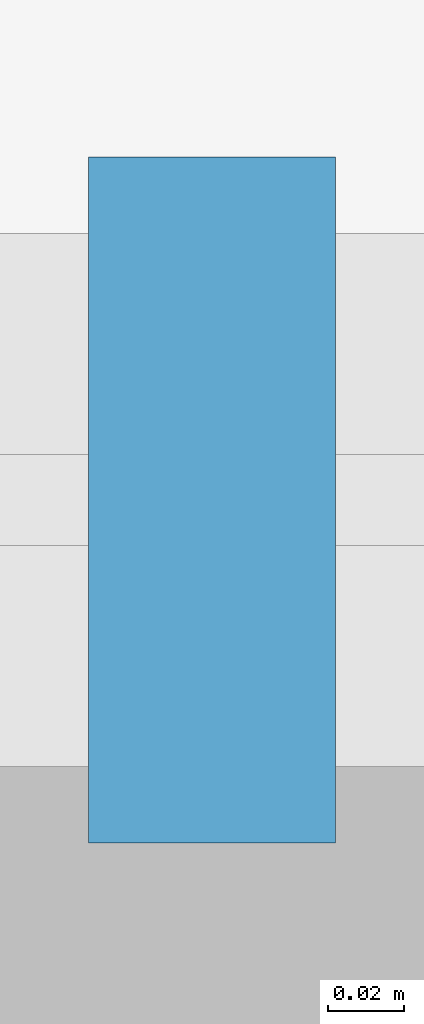
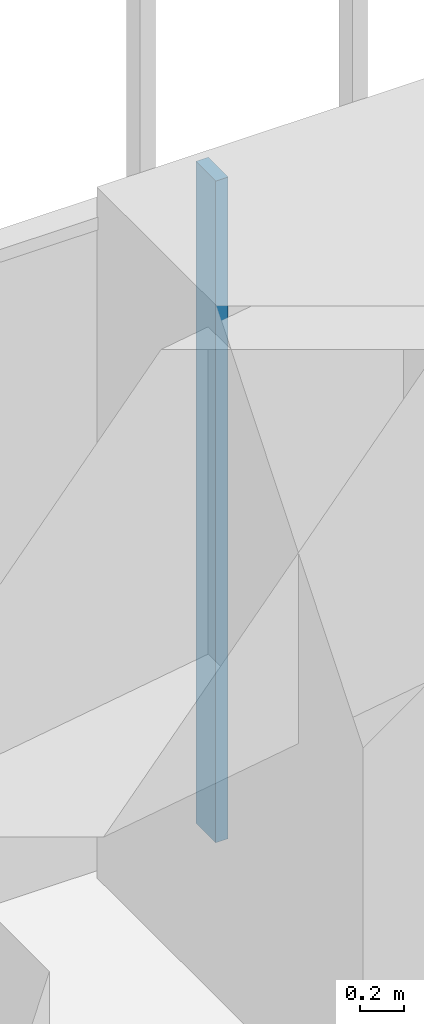
# One storey, part 166 of 256: 1 member, 1 element without a shape of its own.
"""IFC4 building model written with IfcOpenShell, lengths in metres."""

from ifc_helpers import new_model, si_unit, direction, frame, origin, origin_2d, place, context, subcontext, project, spatial, rectangle, extrude, material, material_profile, profile_set, type_object, element, aggregate, save


model = new_model("IFC4")

# Units and contexts
model_context = context("Model", 3, precision=1e-05, world=origin(), true_north=direction((0.0, 1.0)))
body_context = subcontext(model_context, "Body", "Model", "MODEL_VIEW")
ifc_project = project(units=[si_unit("LENGTHUNIT", "METRE"), si_unit("AREAUNIT", "SQUARE_METRE"), si_unit("VOLUMEUNIT", "CUBIC_METRE"), si_unit("PLANEANGLEUNIT", "RADIAN"), si_unit("MASSUNIT", "GRAM", prefix="KILO")], contexts=[model_context])

# Site, building, storey
site_placement = place(None, origin())
site = spatial("IfcSite", under=ifc_project, at=site_placement, CompositionType="ELEMENT")
building_placement = place(site_placement, origin())
building = spatial("IfcBuilding", under=site, at=building_placement, Name="Sandreach Pilgrim Tower", CompositionType="ELEMENT")
storey_placement = place(building_placement, frame((0.0, 0.0, 23.0)))
storey = spatial("IfcBuildingStorey", under=building, at=storey_placement, Name="L04", CompositionType="ELEMENT", Elevation=23.0)

# Curtain wall, member
ifc_material_1 = material(Name="Aluminium framed curtain wall", Category="aluminium")
curtain_wall_type = type_object("IfcCurtainWallType", Name="Hostel tower curtain wall", PredefinedType="NOTDEFINED", material=ifc_material_1)
curtain_wall_placement = place(storey_placement, origin())
curtain_wall = element("IfcCurtainWall", 1, at=curtain_wall_placement, inside=storey, type_object=curtain_wall_type, Name="CW-1 L04 N", PredefinedType="NOTDEFINED")
ifc_material_2 = material(Name="Aluminium extrusion", Category="aluminium")
ifc_material_profile = material_profile(ifc_material_2, rectangle(XDim=0.06494140625, YDim=0.179931640625, at=origin_2d()), Name="CW-1M 65X180")
ifc_profile_set = profile_set([ifc_material_profile], Name="Aluminium extrusion")
member_type = type_object("IfcMemberType", Name="CW-1 mullion", PredefinedType="MULLION", material=ifc_profile_set)
member_placement = place(storey_placement, frame((-15.300537109375, 23.94873046875, 0.0), z_axis=(0.0, 0.0, 1.0), x_axis=(1.0, 0.0, 0.0)))
member = element("IfcMember", 2, at=member_placement, type_object=member_type, Name="CW-1 mullion 2", PredefinedType="MULLION", context=body_context, shape_type="SweptSolid", body=[
    extrude(rectangle(XDim=0.06494140625, YDim=0.179931640625, at=origin_2d()), origin(), (0.0, 0.0, 1.0), 3.639892578125),
])
aggregate(curtain_wall, [member])

save(model, "model.ifc")
